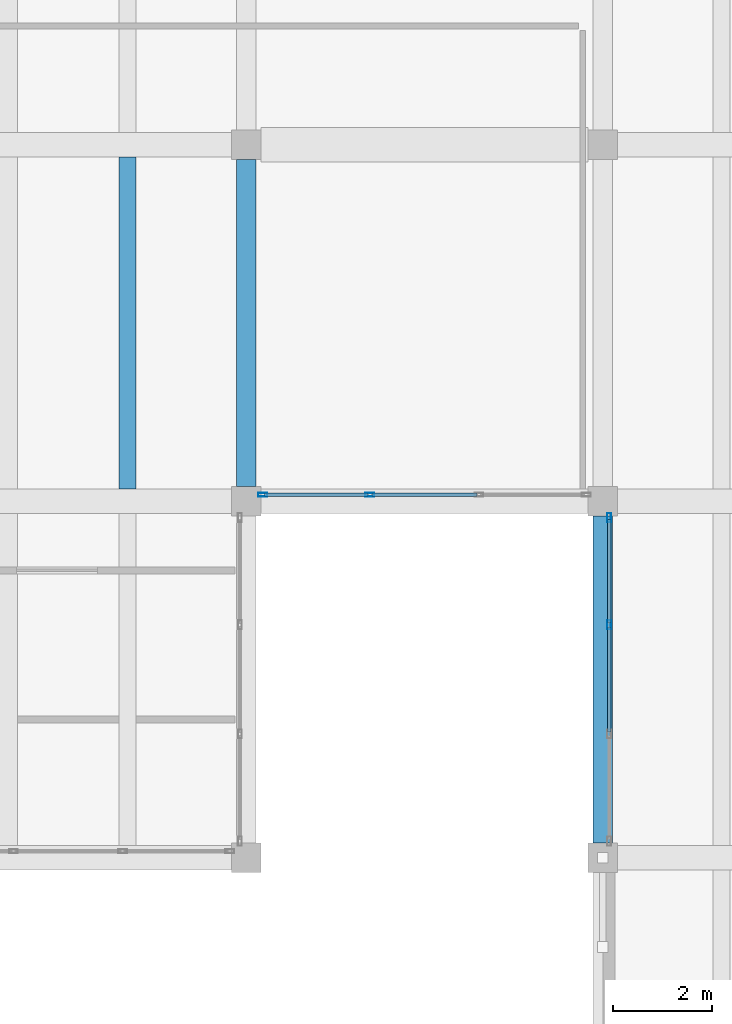
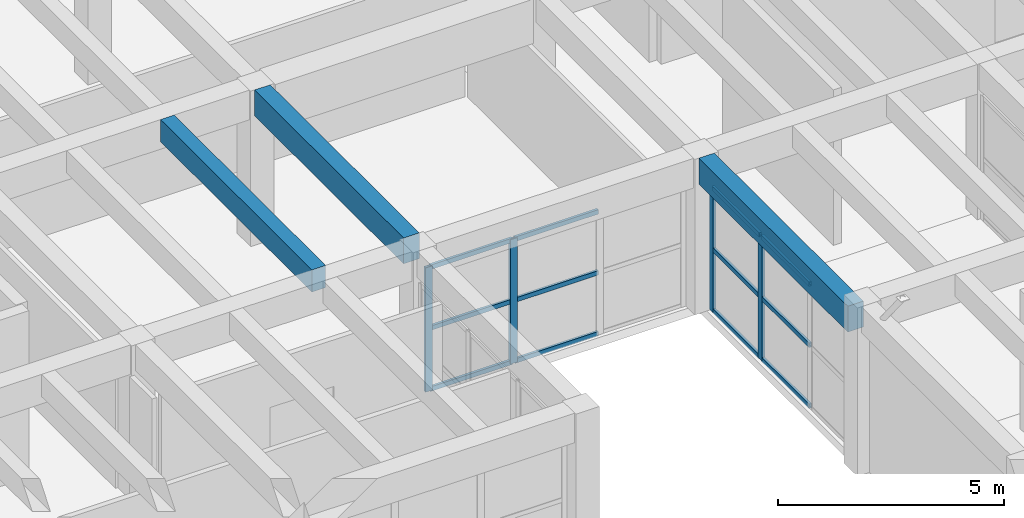
# One storey, part 73 of 153: 16 members, 3 beams, 2 elements without a shape of their own.
"""IFC4 building model written with IfcOpenShell, lengths in metres."""

import ifcopenshell
import ifcopenshell.guid

model = None  # the IFC model being written
_history = None  # IfcOwnerHistory: only IFC2X3 demands one
_inside = {}  # id of a spatial element -> (the spatial element, [elements in it])
_under = {}  # id of a project, library or spatial element -> (it, [spatial elements below it])
_declared = {}  # id of a project -> (the project, [libraries it declares])
_typed = {}  # id of a type object -> (the type object, [elements of that type])
_made_of = {}  # id of a material, layer set ... -> (it, [elements and type objects made of it])


def new_model(schema):
    """Start an empty IFC model of exactly this schema.

    Asked for "IFC4X3", IfcOpenShell would pick the latest addendum, in which some entities
    have other attributes; the version numbers below select the first issue.
    IFC2X3 requires an IfcOwnerHistory on every rooted entity: one is made here for all.
    """
    global model, _history
    if schema == "IFC4X3":
        model = ifcopenshell.file(schema_version=(4, 3, 0, 0))
    else:
        model = ifcopenshell.file(schema=schema)
    _inside.clear()
    _under.clear()
    _declared.clear()
    _typed.clear()
    _made_of.clear()
    _history = None
    if model.schema == "IFC2X3":
        org = make("IfcOrganization", Name="unknown")
        user = make(
            "IfcPersonAndOrganization",
            ThePerson=make("IfcPerson", FamilyName="unknown"),
            TheOrganization=org,
        )
        app = make(
            "IfcApplication",
            ApplicationDeveloper=org,
            Version="unknown",
            ApplicationFullName="unknown",
            ApplicationIdentifier="unknown",
        )
        _history = make(
            "IfcOwnerHistory",
            OwningUser=user,
            OwningApplication=app,
            ChangeAction="ADDED",
            CreationDate=0,
        )
    return model


def make(cls, **values):
    """One entity of the class cls with the attributes given. An attribute that is None is left unset."""
    return model.create_entity(
        cls, **{name: value for name, value in values.items() if value is not None}
    )


def rooted(cls, **values):
    """An entity with a GlobalId (a new one), such as an element, a storey or a relation."""
    return make(cls, GlobalId=ifcopenshell.guid.new(), OwnerHistory=_history, **values)


def si_unit(unit_type, name, prefix=None):
    """IfcSIUnit, for example si_unit("LENGTHUNIT", "METRE", prefix="MILLI")."""
    return make("IfcSIUnit", UnitType=unit_type, Prefix=prefix, Name=name)


def assignment(units):
    """IfcUnitAssignment: the units of a project."""
    return None if units is None else make("IfcUnitAssignment", Units=units)


def point(xyz):
    """IfcCartesianPoint."""
    return None if xyz is None else make("IfcCartesianPoint", Coordinates=xyz)


def direction(xyz):
    """IfcDirection."""
    return None if xyz is None else make("IfcDirection", DirectionRatios=xyz)


def frame(location, z_axis=None, x_axis=None):
    """IfcAxis2Placement3D, a coordinate frame: its origin and axes. An axis left out is left unset."""
    return make(
        "IfcAxis2Placement3D",
        Location=point(location),
        Axis=direction(z_axis),
        RefDirection=direction(x_axis),
    )


def frame_2d(location, x_axis=None):
    """IfcAxis2Placement2D, a coordinate frame in the plane: its origin and x axis."""
    return make(
        "IfcAxis2Placement2D", Location=point(location), RefDirection=direction(x_axis)
    )


def origin():
    """The frame at (0, 0, 0) with its axes left unset."""
    return frame((0.0, 0.0, 0.0))


def origin_2d():
    """The frame at (0, 0) in the plane with its x axis left unset."""
    return frame_2d((0.0, 0.0))


def place(relative_to, where):
    """IfcLocalPlacement: puts the frame where relative to a parent placement (None: the world)."""
    return make(
        "IfcLocalPlacement", PlacementRelTo=relative_to, RelativePlacement=where
    )


def context(
    kind, dimensions, precision=None, world=None, true_north=None, identifier=None
):
    """IfcGeometricRepresentationContext, for example the 3D "Model" context."""
    return make(
        "IfcGeometricRepresentationContext",
        ContextIdentifier=identifier,
        ContextType=kind,
        CoordinateSpaceDimension=dimensions,
        Precision=precision,
        WorldCoordinateSystem=world,
        TrueNorth=true_north,
    )


def subcontext(parent, identifier, kind, view, scale=None):
    """IfcGeometricRepresentationSubContext, for example "Body" below "Model"."""
    return make(
        "IfcGeometricRepresentationSubContext",
        ContextIdentifier=identifier,
        ContextType=kind,
        ParentContext=parent,
        TargetScale=scale,
        TargetView=view,
    )


def project(units=None, contexts=None):
    """IfcProject with its units and contexts."""
    return rooted(
        "IfcProject",
        Name="project",
        RepresentationContexts=contexts,
        UnitsInContext=assignment(units),
    )


def spatial(cls, under=None, at=None, **own):
    """A site, building, storey or space (cls), placed at a placement, below another one or the project."""
    s = rooted(cls, ObjectPlacement=at, **own)
    if under is not None:
        _under.setdefault(under.id(), (under, []))[1].append(s)
    return s


def profile(cls, at=None, kind="AREA", **sizes):
    """A parametric profile (cls). Its sizes go by their IFC names, for example OverallWidth=200.0."""
    return make(cls, ProfileType=kind, Position=at, **sizes)


def rectangle(**sizes):
    """IfcRectangleProfileDef."""
    return profile("IfcRectangleProfileDef", **sizes)


def hollow_rectangle(**sizes):
    """IfcRectangleHollowProfileDef."""
    return profile("IfcRectangleHollowProfileDef", **sizes)


def extrude(swept, where, along, depth):
    """IfcExtrudedAreaSolid: the profile swept, set in the frame where, extruded along a direction by depth."""
    return make(
        "IfcExtrudedAreaSolid",
        SweptArea=swept,
        Position=where,
        ExtrudedDirection=direction(along),
        Depth=depth,
    )


def shape(context_of_items, identifier, shape_type, items):
    """IfcShapeRepresentation: the items that make up one representation, for example the "Body"."""
    return make(
        "IfcShapeRepresentation",
        ContextOfItems=context_of_items,
        RepresentationIdentifier=identifier,
        RepresentationType=shape_type,
        Items=items,
    )


def material(Name=None, Category=None):
    """IfcMaterial."""
    return make("IfcMaterial", Name=Name, Category=Category)


def material_profile(
    of_material, cross_section, Name=None, Category=None, Priority=None
):
    """IfcMaterialProfile: a cross section and its material."""
    return make(
        "IfcMaterialProfile",
        Name=Name,
        Material=of_material,
        Profile=cross_section,
        Priority=Priority,
        Category=Category,
    )


def profile_set(profiles, Name=None, composite=None):
    """IfcMaterialProfileSet."""
    return make(
        "IfcMaterialProfileSet",
        Name=Name,
        MaterialProfiles=profiles,
        CompositeProfile=composite,
    )


def made_of(thing, what):
    """Note that an element or type object is made of a material, layer set ...; save() writes the relation."""
    if what is not None:
        _made_of.setdefault(what.id(), (what, []))[1].append(thing)
    return thing


def type_object(cls, material=None, **own):
    """A type object (cls), such as IfcWallType, which elements share."""
    return made_of(rooted(cls, **own), material)


def element(
    cls,
    number,
    at=None,
    inside=None,
    cuts=None,
    type_object=None,
    material=None,
    context=None,
    identifier="Body",
    shape_type=None,
    held_by="IfcProductDefinitionShape",
    body=None,
    shapes=None,
    **own,
):
    """One element of the class cls, such as IfcWall. Its Tag is "e" and its number.

    at: its placement. inside: the storey or other place that contains it. cuts: it is an
    opening in that element (IfcRelVoidsElement). A single representation is given by context,
    identifier, shape_type and body (its items); several are given by shapes. held_by: the class
    of the entity that holds the representations. save() writes the other relations.
    """
    e = rooted(cls, Tag="e%d" % number, ObjectPlacement=at, **own)
    if body is not None:
        shapes = [shape(context, identifier, shape_type, body)]
    if shapes is not None:
        e.Representation = make(held_by, Representations=shapes)
    if inside is not None:
        _inside.setdefault(inside.id(), (inside, []))[1].append(e)
    if cuts is not None:
        rooted(
            "IfcRelVoidsElement", RelatingBuildingElement=cuts, RelatedOpeningElement=e
        )
    if type_object is not None:
        _typed.setdefault(type_object.id(), (type_object, []))[1].append(e)
    return made_of(e, material)


def aggregate(whole, parts):
    """IfcRelAggregates: a whole, such as a stair, and the parts it consists of."""
    return rooted("IfcRelAggregates", RelatingObject=whole, RelatedObjects=parts)


def save(model, path):
    """Write the relations noted so far, then the file.

    IfcRelAggregates (storeys below a building ...), IfcRelContainedInSpatialStructure (elements
    in a storey), IfcRelDefinesByType, IfcRelAssociatesMaterial and IfcRelDeclares: one each for
    every whole, place, type object, material and project.
    """
    for whole, parts in _under.values():
        aggregate(whole, parts)
    for where, things in _inside.values():
        rooted(
            "IfcRelContainedInSpatialStructure",
            RelatedElements=things,
            RelatingStructure=where,
        )
    for kind, things in _typed.values():
        rooted("IfcRelDefinesByType", RelatedObjects=things, RelatingType=kind)
    for what, things in _made_of.values():
        rooted("IfcRelAssociatesMaterial", RelatedObjects=things, RelatingMaterial=what)
    for by, libraries in _declared.values():
        rooted("IfcRelDeclares", RelatingContext=by, RelatedDefinitions=libraries)
    model.write(path)


model = new_model("IFC4")

# Units and contexts
model_context = context("Model", 3, precision=1e-05, world=origin(), true_north=direction((0.0, 1.0)))
body_context = subcontext(model_context, "Body", "Model", "MODEL_VIEW")
ifc_project = project(units=[si_unit("LENGTHUNIT", "METRE"), si_unit("AREAUNIT", "SQUARE_METRE"), si_unit("VOLUMEUNIT", "CUBIC_METRE"), si_unit("PLANEANGLEUNIT", "RADIAN"), si_unit("MASSUNIT", "GRAM", prefix="KILO")], contexts=[model_context])

# Site, building, storey
site_placement = place(None, origin())
site = spatial("IfcSite", under=ifc_project, at=site_placement, CompositionType="ELEMENT")
building_placement = place(site_placement, origin())
building = spatial("IfcBuilding", under=site, at=building_placement, Name="Bramvelor Terrace Health Centre", CompositionType="ELEMENT")
storey_placement = place(building_placement, frame((0.0, 0.0, 4.800048828125)))
storey = spatial("IfcBuildingStorey", under=building, at=storey_placement, Name="L02", CompositionType="ELEMENT", Elevation=4.800048828125)

# Beams
ifc_material_1 = material(Name="Concrete C40/50", Category="concrete")
ifc_material_profile_1 = material_profile(ifc_material_1, rectangle(XDim=0.39990234375, YDim=0.699951171875, at=origin_2d()), Name="RC 400x700")
ifc_profile_set_1 = profile_set([ifc_material_profile_1], Name="Concrete C40/50")
beam_type_1 = type_object("IfcBeamType", Name="BM-RC-G700", PredefinedType="BEAM", material=ifc_profile_set_1)
for number, where, z_axis, x_axis, name in (
    (1, (36.0, 86.699951171875, 3.849853515625), (0.0, 1.0, 0.0), (-1.0, 0.0, 0.0), "L02 Floor Girder"),
    (2, (43.199951171875, 79.5, 3.849853515625), (0.0, 1.0, 0.0), (-1.0, 0.0, 0.0), "L02 Floor Girder"),
):
    element("IfcBeam", number, at=place(storey_placement, frame(where, z_axis=z_axis, x_axis=x_axis)), inside=storey, type_object=beam_type_1, Name=name, PredefinedType="BEAM", context=body_context, shape_type="SweptSolid", body=[
        extrude(rectangle(XDim=0.39990234375, YDim=0.699951171875, at=origin_2d()), origin(), (0.0, 0.0, 1.0), 6.60009765625),
    ])
ifc_material_2 = material(Name="Concrete C40/50", Category="concrete")
ifc_material_profile_2 = material_profile(ifc_material_2, rectangle(XDim=0.35009765625, YDim=0.60009765625, at=origin_2d()), Name="RC 350x600")
ifc_profile_set_2 = profile_set([ifc_material_profile_2], Name="Concrete C40/50")
beam_type_2 = type_object("IfcBeamType", Name="BM-RC-J600", PredefinedType="JOIST", material=ifc_profile_set_2)
beam_placement = place(storey_placement, frame((33.60009765625, 86.64990234375, 3.89990234375), z_axis=(0.0, 1.0, 0.0), x_axis=(-1.0, 0.0, 0.0)))
element("IfcBeam", 3, at=beam_placement, inside=storey, type_object=beam_type_2, Name="L02 Secondary Floor Joist", PredefinedType="JOIST", context=body_context, shape_type="SweptSolid", body=[
    extrude(rectangle(XDim=0.35009765625, YDim=0.60009765625, at=origin_2d()), origin(), (0.0, 0.0, 1.0), 6.7001953125),
])

# Curtain wall, members
ifc_material_3 = material(Name="Anodized aluminium and double low-E glass", Category="aluminium")
curtain_wall_type = type_object("IfcCurtainWallType", Name="CW-SYS-12", PredefinedType="NOTDEFINED", material=ifc_material_3)
curtain_wall_1_placement = place(storey_placement, origin())
curtain_wall_1 = element("IfcCurtainWall", 4, at=curtain_wall_1_placement, inside=storey, type_object=curtain_wall_type, Name="L02 Unitized Curtain Wall 70", PredefinedType="NOTDEFINED")
ifc_material_4 = material(Name="Anodized aluminium 6063-T6", Category="aluminium")
ifc_material_profile_3 = material_profile(ifc_material_4, hollow_rectangle(XDim=0.074951171875, YDim=0.179931640625, WallThickness=0.00341796875, at=origin_2d()), Name="ALU-MUL 75x180x3.5")
ifc_profile_set_3 = profile_set([ifc_material_profile_3], Name="Anodized aluminium 6063-T6")
member_type_1 = type_object("IfcMemberType", Name="CW-MUL-65x180", PredefinedType="MULLION", material=ifc_profile_set_3)
member_1_placement = place(storey_placement, frame((43.330078125, 83.901611328125, 0.0), z_axis=(0.0, 0.0, 1.0), x_axis=(-1.0, 0.0, 0.0)))
member_1 = element("IfcMember", 5, at=member_1_placement, type_object=member_type_1, Name="CW-12 mullion 3", PredefinedType="MULLION", context=body_context, shape_type="SweptSolid", body=[
    extrude(hollow_rectangle(XDim=0.074951171875, YDim=0.179931640625, WallThickness=0.00341796875, at=origin_2d()), origin(), (0.0, 0.0, 1.0), 3.35986328125),
])
member_2_placement = place(storey_placement, frame((43.330078125, 86.0673828125, 0.0), z_axis=(0.0, 0.0, 1.0), x_axis=(-1.0, 0.0, 0.0)))
member_2 = element("IfcMember", 6, at=member_2_placement, type_object=member_type_1, Name="CW-12 mullion 4", PredefinedType="MULLION", context=body_context, shape_type="SweptSolid", body=[
    extrude(hollow_rectangle(XDim=0.074951171875, YDim=0.179931640625, WallThickness=0.00341796875, at=origin_2d()), origin(), (0.0, 0.0, 1.0), 3.35986328125),
])

curtain_wall_2_placement = place(storey_placement, origin())
curtain_wall_2 = element("IfcCurtainWall", 7, at=curtain_wall_2_placement, inside=storey, type_object=curtain_wall_type, Name="L02 Unitized Curtain Wall 71", PredefinedType="NOTDEFINED")
member_3_placement = place(storey_placement, frame((38.498291015625, 86.530029296875, 0.0), z_axis=(0.0, 0.0, 1.0), x_axis=(0.0, -1.0, 0.0)))
member_3 = element("IfcMember", 8, at=member_3_placement, type_object=member_type_1, Name="CW-12 mullion 3", PredefinedType="MULLION", context=body_context, shape_type="SweptSolid", body=[
    extrude(hollow_rectangle(XDim=0.074951171875, YDim=0.179931640625, WallThickness=0.00341796875, at=origin_2d()), origin(), (0.0, 0.0, 1.0), 3.35986328125),
])
member_4_placement = place(storey_placement, frame((36.33251953125, 86.530029296875, 0.0), z_axis=(0.0, 0.0, 1.0), x_axis=(0.0, -1.0, 0.0)))
member_4 = element("IfcMember", 9, at=member_4_placement, type_object=member_type_1, Name="CW-12 mullion 4", PredefinedType="MULLION", context=body_context, shape_type="SweptSolid", body=[
    extrude(hollow_rectangle(XDim=0.074951171875, YDim=0.179931640625, WallThickness=0.00341796875, at=origin_2d()), origin(), (0.0, 0.0, 1.0), 3.35986328125),
])

# Member
ifc_material_5 = material(Name="Anodized aluminium 6063-T6", Category="aluminium")
ifc_material_profile_4 = material_profile(ifc_material_5, hollow_rectangle(XDim=0.06494140625, YDim=0.1201171875, WallThickness=0.0029296875, at=origin_2d()), Name="ALU-TRN 65x120x3.0")
ifc_profile_set_4 = profile_set([ifc_material_profile_4], Name="Anodized aluminium 6063-T6")
member_type_2 = type_object("IfcMemberType", Name="CW-TRN-65x150", PredefinedType="USERDEFINED", material=ifc_profile_set_4)
member_5_placement = place(storey_placement, frame((43.330078125, 81.73583984375, 0.032470703125), z_axis=(0.0, 1.0, 0.0), x_axis=(-1.0, 0.0, 0.0)))
member_5 = element("IfcMember", 10, at=member_5_placement, type_object=member_type_2, Name="CW-12 transom 2.1", ObjectType="TRANSOM", PredefinedType="USERDEFINED", context=body_context, shape_type="SweptSolid", body=[
    extrude(hollow_rectangle(XDim=0.06494140625, YDim=0.1201171875, WallThickness=0.0029296875, at=origin_2d()), origin(), (0.0, 0.0, 1.0), 2.12841796875),
])

member_6_placement = place(storey_placement, frame((43.330078125, 81.73583984375, 1.679931640625), z_axis=(0.0, 1.0, 0.0), x_axis=(-1.0, 0.0, 0.0)))
member_6 = element("IfcMember", 11, at=member_6_placement, type_object=member_type_2, Name="CW-12 transom 2.2", ObjectType="TRANSOM", PredefinedType="USERDEFINED", context=body_context, shape_type="SweptSolid", body=[
    extrude(hollow_rectangle(XDim=0.06494140625, YDim=0.1201171875, WallThickness=0.0029296875, at=origin_2d()), origin(), (0.0, 0.0, 1.0), 2.12841796875),
])

member_7_placement = place(storey_placement, frame((43.330078125, 81.73583984375, 3.327392578125), z_axis=(0.0, 1.0, 0.0), x_axis=(-1.0, 0.0, 0.0)))
member_7 = element("IfcMember", 12, at=member_7_placement, type_object=member_type_2, Name="CW-12 transom 2.3", ObjectType="TRANSOM", PredefinedType="USERDEFINED", context=body_context, shape_type="SweptSolid", body=[
    extrude(hollow_rectangle(XDim=0.06494140625, YDim=0.1201171875, WallThickness=0.0029296875, at=origin_2d()), origin(), (0.0, 0.0, 1.0), 2.12841796875),
])

member_8_placement = place(storey_placement, frame((43.330078125, 83.939208984375, 0.032470703125), z_axis=(0.0, 1.0, 0.0), x_axis=(-1.0, 0.0, 0.0)))
member_8 = element("IfcMember", 13, at=member_8_placement, type_object=member_type_2, Name="CW-12 transom 3.1", ObjectType="TRANSOM", PredefinedType="USERDEFINED", context=body_context, shape_type="SweptSolid", body=[
    extrude(hollow_rectangle(XDim=0.06494140625, YDim=0.1201171875, WallThickness=0.0029296875, at=origin_2d()), origin(), (0.0, 0.0, 1.0), 2.0908203125),
])

member_9_placement = place(storey_placement, frame((43.330078125, 83.939208984375, 1.679931640625), z_axis=(0.0, 1.0, 0.0), x_axis=(-1.0, 0.0, 0.0)))
member_9 = element("IfcMember", 14, at=member_9_placement, type_object=member_type_2, Name="CW-12 transom 3.2", ObjectType="TRANSOM", PredefinedType="USERDEFINED", context=body_context, shape_type="SweptSolid", body=[
    extrude(hollow_rectangle(XDim=0.06494140625, YDim=0.1201171875, WallThickness=0.0029296875, at=origin_2d()), origin(), (0.0, 0.0, 1.0), 2.0908203125),
])

member_10_placement = place(storey_placement, frame((43.330078125, 83.939208984375, 3.327392578125), z_axis=(0.0, 1.0, 0.0), x_axis=(-1.0, 0.0, 0.0)))
member_10 = element("IfcMember", 15, at=member_10_placement, type_object=member_type_2, Name="CW-12 transom 3.3", ObjectType="TRANSOM", PredefinedType="USERDEFINED", context=body_context, shape_type="SweptSolid", body=[
    extrude(hollow_rectangle(XDim=0.06494140625, YDim=0.1201171875, WallThickness=0.0029296875, at=origin_2d()), origin(), (0.0, 0.0, 1.0), 2.0908203125),
])

aggregate(curtain_wall_1, [member_1, member_2, member_5, member_6, member_7, member_8, member_9, member_10])

member_11_placement = place(storey_placement, frame((40.6640625, 86.530029296875, 0.032470703125), z_axis=(-1.0, 0.0, 0.0), x_axis=(0.0, -1.0, 0.0)))
member_11 = element("IfcMember", 16, at=member_11_placement, type_object=member_type_2, Name="CW-12 transom 2.1", ObjectType="TRANSOM", PredefinedType="USERDEFINED", context=body_context, shape_type="SweptSolid", body=[
    extrude(hollow_rectangle(XDim=0.06494140625, YDim=0.1201171875, WallThickness=0.0029296875, at=origin_2d()), origin(), (0.0, 0.0, 1.0), 2.128173828125),
])

member_12_placement = place(storey_placement, frame((40.6640625, 86.530029296875, 1.679931640625), z_axis=(-1.0, 0.0, 0.0), x_axis=(0.0, -1.0, 0.0)))
member_12 = element("IfcMember", 17, at=member_12_placement, type_object=member_type_2, Name="CW-12 transom 2.2", ObjectType="TRANSOM", PredefinedType="USERDEFINED", context=body_context, shape_type="SweptSolid", body=[
    extrude(hollow_rectangle(XDim=0.06494140625, YDim=0.1201171875, WallThickness=0.0029296875, at=origin_2d()), origin(), (0.0, 0.0, 1.0), 2.128173828125),
])

member_13_placement = place(storey_placement, frame((40.6640625, 86.530029296875, 3.327392578125), z_axis=(-1.0, 0.0, 0.0), x_axis=(0.0, -1.0, 0.0)))
member_13 = element("IfcMember", 18, at=member_13_placement, type_object=member_type_2, Name="CW-12 transom 2.3", ObjectType="TRANSOM", PredefinedType="USERDEFINED", context=body_context, shape_type="SweptSolid", body=[
    extrude(hollow_rectangle(XDim=0.06494140625, YDim=0.1201171875, WallThickness=0.0029296875, at=origin_2d()), origin(), (0.0, 0.0, 1.0), 2.128173828125),
])

member_14_placement = place(storey_placement, frame((38.4609375, 86.530029296875, 0.032470703125), z_axis=(-1.0, 0.0, 0.0), x_axis=(0.0, -1.0, 0.0)))
member_14 = element("IfcMember", 19, at=member_14_placement, type_object=member_type_2, Name="CW-12 transom 3.1", ObjectType="TRANSOM", PredefinedType="USERDEFINED", context=body_context, shape_type="SweptSolid", body=[
    extrude(hollow_rectangle(XDim=0.06494140625, YDim=0.1201171875, WallThickness=0.0029296875, at=origin_2d()), origin(), (0.0, 0.0, 1.0), 2.0908203125),
])

member_15_placement = place(storey_placement, frame((38.4609375, 86.530029296875, 1.679931640625), z_axis=(-1.0, 0.0, 0.0), x_axis=(0.0, -1.0, 0.0)))
member_15 = element("IfcMember", 20, at=member_15_placement, type_object=member_type_2, Name="CW-12 transom 3.2", ObjectType="TRANSOM", PredefinedType="USERDEFINED", context=body_context, shape_type="SweptSolid", body=[
    extrude(hollow_rectangle(XDim=0.06494140625, YDim=0.1201171875, WallThickness=0.0029296875, at=origin_2d()), origin(), (0.0, 0.0, 1.0), 2.0908203125),
])

member_16_placement = place(storey_placement, frame((38.4609375, 86.530029296875, 3.327392578125), z_axis=(-1.0, 0.0, 0.0), x_axis=(0.0, -1.0, 0.0)))
member_16 = element("IfcMember", 21, at=member_16_placement, type_object=member_type_2, Name="CW-12 transom 3.3", ObjectType="TRANSOM", PredefinedType="USERDEFINED", context=body_context, shape_type="SweptSolid", body=[
    extrude(hollow_rectangle(XDim=0.06494140625, YDim=0.1201171875, WallThickness=0.0029296875, at=origin_2d()), origin(), (0.0, 0.0, 1.0), 2.0908203125),
])

aggregate(curtain_wall_2, [member_3, member_4, member_11, member_12, member_13, member_14, member_15, member_16])

save(model, "model.ifc")
